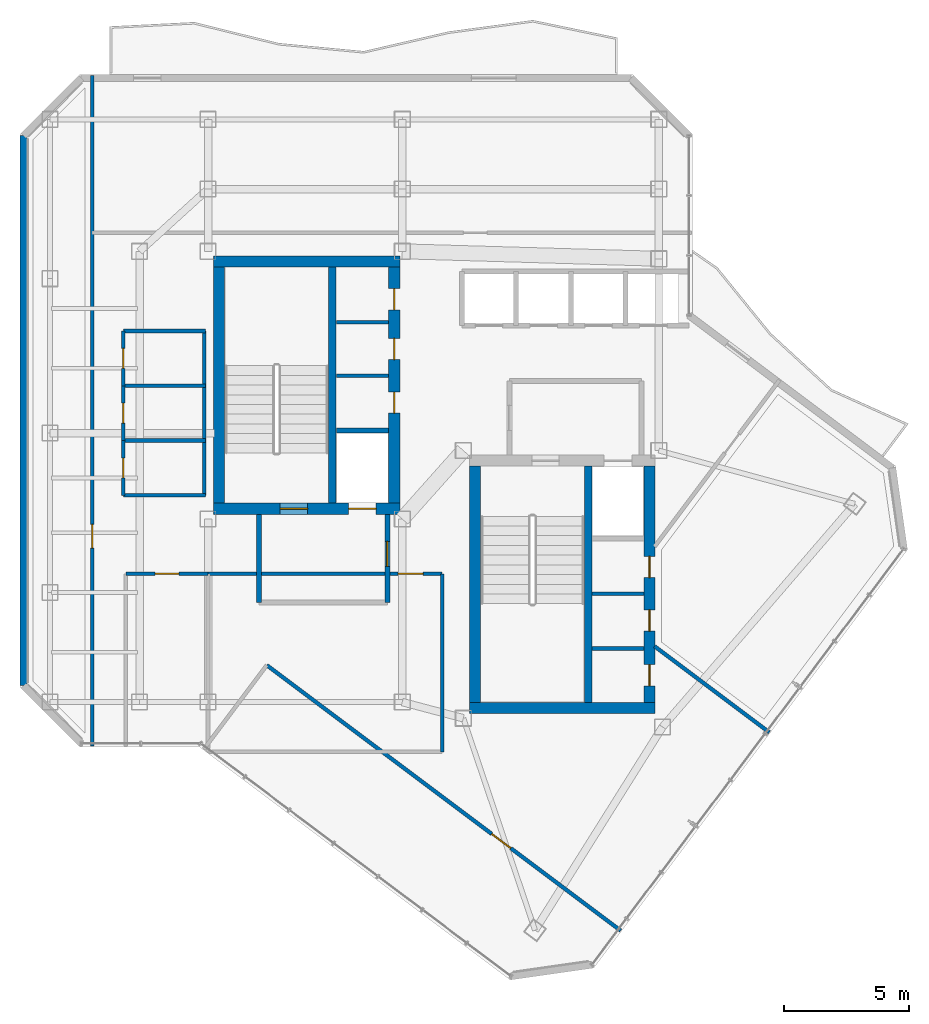
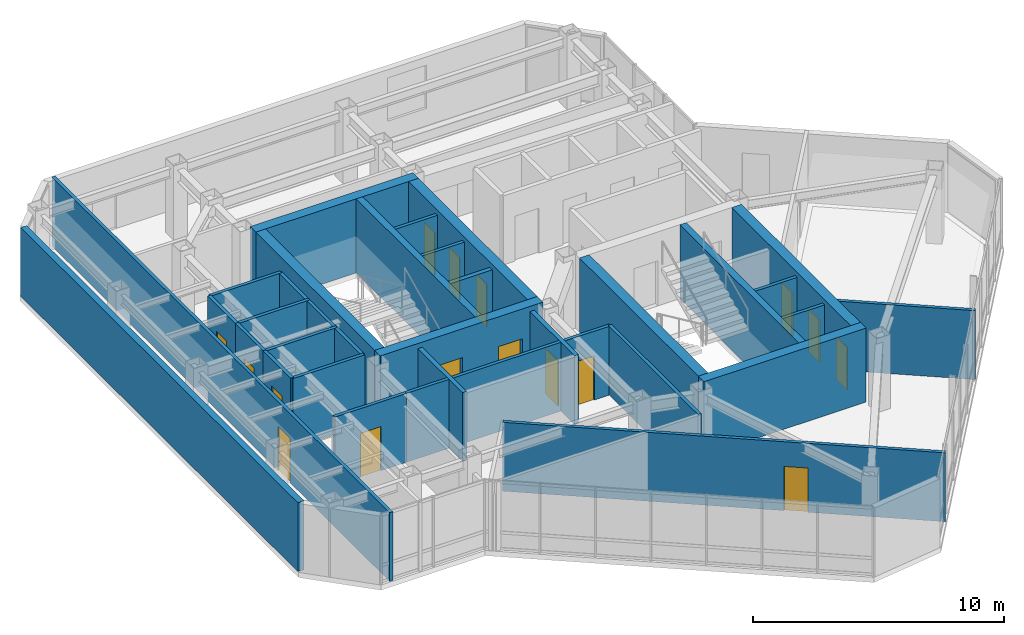
# One storey, part 14 of 18: 31 walls, 16 doors, 16 openings.
"""IFC4 building model written with IfcOpenShell, lengths in metres."""

from ifc_helpers import new_model, si_unit, direction, frame, frame_2d, origin, place, context, subcontext, project, spatial, rectangle, extrude, material, layer, layer_set, type_object, element, fill, save


model = new_model("IFC4")

# Units and contexts
model_context = context("Model", 3, precision=1e-05, world=origin(), true_north=direction((0.0, 1.0)))
body_context = subcontext(model_context, "Body", "Model", "MODEL_VIEW")
ifc_project = project(units=[si_unit("LENGTHUNIT", "METRE"), si_unit("AREAUNIT", "SQUARE_METRE"), si_unit("VOLUMEUNIT", "CUBIC_METRE"), si_unit("PLANEANGLEUNIT", "RADIAN"), si_unit("MASSUNIT", "GRAM", prefix="KILO")], contexts=[model_context])

# Site, building, storey
site_placement = place(None, origin())
site = spatial("IfcSite", under=ifc_project, at=site_placement, CompositionType="ELEMENT")
building_placement = place(site_placement, origin())
building = spatial("IfcBuilding", under=site, at=building_placement, Name="Hatsunagi Terrace Concourse", CompositionType="ELEMENT")
storey_placement = place(building_placement, frame((0.0, 0.0, 250.35009765625)))
storey = spatial("IfcBuildingStorey", under=building, at=storey_placement, Name="L66", CompositionType="ELEMENT", Elevation=250.35009765625)

# Wall, openings, doors
ifc_material_1 = material(Name="Concrete Fc42", Category="concrete")
ifc_layer_1 = layer(ifc_material_1, 0.449951171875)
ifc_layer_set_1 = layer_set([ifc_layer_1], Name="CoreShearWall_Fc42_450")
wall_type_1 = type_object("IfcWallType", Name="CoreShearWall_Fc42_450", PredefinedType="SHEAR", material=ifc_layer_set_1)
wall_1_placement = place(storey_placement, frame((25.77001953125, 32.965087890625, 0.0), z_axis=(0.0, 0.0, 1.0), x_axis=(1.0, 0.0, 0.0)))
wall_1 = element("IfcWall", 1, at=wall_1_placement, inside=storey, type_object=wall_type_1, Name="Core A Shear Wall S L66", PredefinedType="SHEAR", context=body_context, shape_type="SweptSolid", body=[
    extrude(rectangle(XDim=7.47998046875, YDim=0.449951171875, at=frame_2d((3.739990234375, 0.0))), origin(), (0.0, 0.0, 1.0), 3.599853515625),
])
opening_1_placement = place(wall_1_placement, frame((2.679931640625, 0.0, 0.0)))
opening_1 = element("IfcOpeningElement", 2, at=opening_1_placement, cuts=wall_1, Name="Opening DR-110S", PredefinedType="OPENING", context=body_context, shape_type="SweptSolid", body=[
    extrude(rectangle(XDim=1.10009765625, YDim=2.199951171875, at=frame_2d((0.550048828125, 1.10009765625))), frame((0.0, 0.23486328125, 0.0), z_axis=(0.0, -1.0, 0.0), x_axis=(1.0, 0.0, 0.0)), (0.0, 0.0, 1.0), 0.469970703125),
])
opening_2_placement = place(wall_1_placement, frame((5.429931640625, 0.0, 0.0)))
opening_2 = element("IfcOpeningElement", 3, at=opening_2_placement, cuts=wall_1, Name="Opening LD-01", PredefinedType="OPENING", context=body_context, shape_type="SweptSolid", body=[
    extrude(rectangle(XDim=1.10009765625, YDim=2.14990234375, at=frame_2d((0.550048828125, 1.074951171875))), frame((0.0, 0.23486328125, 0.0), z_axis=(0.0, -1.0, 0.0), x_axis=(1.0, 0.0, 0.0)), (0.0, 0.0, 1.0), 0.469970703125),
])
ifc_material_2 = material(Name="Stainless steel", Category="steel")
door_type_1 = type_object("IfcDoorType", Name="LiftLandingDoor_LD01", OperationType="SLIDING_TO_LEFT", PredefinedType="USERDEFINED", material=ifc_material_2)
door_1_placement = place(opening_2_placement, origin())
door_1 = element("IfcDoor", 4, at=door_1_placement, inside=storey, type_object=door_type_1, Name="Lift landing door FF-01 L66", ObjectType="SLIDING_LANDING_DOOR", OperationType="SLIDING_TO_LEFT", OverallHeight=2.14990234375, OverallWidth=1.10009765625, PredefinedType="USERDEFINED", context=body_context, shape_type="SweptSolid", body=[
    extrude(rectangle(XDim=1.10009765625, YDim=2.14990234375, at=frame_2d((0.550048828125, 1.074951171875))), frame((0.0, 0.02490234375, 0.0), z_axis=(0.0, -1.0, 0.0), x_axis=(1.0, 0.0, 0.0)), (0.0, 0.0, 1.0), 0.050048828125),
])
fill(opening_2, door_1)
ifc_material_3 = material(Name="Painted steel", Category="steel")
door_type_2 = type_object("IfcDoorType", Name="StairFireDoor_EI60_1100", OperationType="NOTDEFINED", PredefinedType="DOOR", material=ifc_material_3)
door_2_placement = place(opening_1_placement, origin())
door_2 = element("IfcDoor", 5, at=door_2_placement, inside=storey, type_object=door_type_2, Name="Stair ST-A Exit Door L66", OperationType="SINGLE_SWING_LEFT", OverallHeight=2.199951171875, OverallWidth=1.10009765625, PredefinedType="DOOR", context=body_context, shape_type="SweptSolid", body=[
    extrude(rectangle(XDim=1.10009765625, YDim=2.199951171875, at=frame_2d((0.550048828125, 1.10009765625))), frame((0.0, 0.02490234375, 0.0), z_axis=(0.0, -1.0, 0.0), x_axis=(1.0, 0.0, 0.0)), (0.0, 0.0, 1.0), 0.050048828125),
])
fill(opening_1, door_2)

# Walls
wall_2_placement = place(storey_placement, frame((25.77001953125, 42.89501953125, 0.0), z_axis=(0.0, 0.0, 1.0), x_axis=(1.0, 0.0, 0.0)))
element("IfcWall", 6, at=wall_2_placement, inside=storey, type_object=wall_type_1, Name="Core A Shear Wall N L66", PredefinedType="SHEAR", context=body_context, shape_type="SweptSolid", body=[
    extrude(rectangle(XDim=7.47998046875, YDim=0.449951171875, at=frame_2d((3.739990234375, 0.0))), origin(), (0.0, 0.0, 1.0), 3.599853515625),
])
wall_3_placement = place(storey_placement, frame((25.9951171875, 33.18994140625, 0.0), z_axis=(0.0, 0.0, 1.0), x_axis=(0.0, 1.0, 0.0)))
element("IfcWall", 7, at=wall_3_placement, inside=storey, type_object=wall_type_1, Name="Core A Shear Wall W L66", PredefinedType="SHEAR", context=body_context, shape_type="SweptSolid", body=[
    extrude(rectangle(XDim=9.47998046875, YDim=0.449951171875, at=frame_2d((4.739990234375, 0.0))), origin(), (0.0, 0.0, 1.0), 3.599853515625),
])

# Wall, openings, doors
wall_4_placement = place(storey_placement, frame((33.02490234375, 33.18994140625, 0.0), z_axis=(0.0, 0.0, 1.0), x_axis=(0.0, 1.0, 0.0)))
wall_4 = element("IfcWall", 8, at=wall_4_placement, inside=storey, type_object=wall_type_1, Name="Core A Shear Wall E L66", PredefinedType="SHEAR", context=body_context, shape_type="SweptSolid", body=[
    extrude(rectangle(XDim=9.47998046875, YDim=0.449951171875, at=frame_2d((4.739990234375, 0.0))), origin(), (0.0, 0.0, 1.0), 3.599853515625),
])
opening_3_placement = place(wall_4_placement, frame((3.610107421875, 0.0, 0.0)))
opening_3 = element("IfcOpeningElement", 9, at=opening_3_placement, cuts=wall_4, Name="Opening DR-085", PredefinedType="OPENING", context=body_context, shape_type="SweptSolid", body=[
    extrude(rectangle(XDim=0.85009765625, YDim=2.080078125, at=frame_2d((0.425048828125, 1.0400390625))), frame((0.0, 0.23486328125, 0.0), z_axis=(0.0, -1.0, 0.0), x_axis=(1.0, 0.0, 0.0)), (0.0, 0.0, 1.0), 0.469970703125),
])
opening_4_placement = place(wall_4_placement, frame((5.760009765625, 0.0, 0.0)))
opening_4 = element("IfcOpeningElement", 10, at=opening_4_placement, cuts=wall_4, Name="Opening DR-085", PredefinedType="OPENING", context=body_context, shape_type="SweptSolid", body=[
    extrude(rectangle(XDim=0.85009765625, YDim=2.080078125, at=frame_2d((0.425048828125, 1.0400390625))), frame((0.0, 0.23486328125, 0.0), z_axis=(0.0, -1.0, 0.0), x_axis=(1.0, 0.0, 0.0)), (0.0, 0.0, 1.0), 0.469970703125),
])
opening_5_placement = place(wall_4_placement, frame((7.760009765625, 0.0, 0.0)))
opening_5 = element("IfcOpeningElement", 11, at=opening_5_placement, cuts=wall_4, Name="Opening DR-085", PredefinedType="OPENING", context=body_context, shape_type="SweptSolid", body=[
    extrude(rectangle(XDim=0.85009765625, YDim=2.080078125, at=frame_2d((0.425048828125, 1.0400390625))), frame((0.0, 0.23486328125, 0.0), z_axis=(0.0, -1.0, 0.0), x_axis=(1.0, 0.0, 0.0)), (0.0, 0.0, 1.0), 0.469970703125),
])
ifc_material_4 = material(Name="Painted steel", Category="steel")
door_type_3 = type_object("IfcDoorType", Name="RiserAccessDoor_EI60_850", OperationType="NOTDEFINED", PredefinedType="DOOR", material=ifc_material_4)
door_3_placement = place(opening_3_placement, origin())
door_3 = element("IfcDoor", 12, at=door_3_placement, inside=storey, type_object=door_type_3, Name="Core A Riser Door L66-1", OperationType="SINGLE_SWING_LEFT", OverallHeight=2.080078125, OverallWidth=0.85009765625, PredefinedType="DOOR", context=body_context, shape_type="SweptSolid", body=[
    extrude(rectangle(XDim=0.85009765625, YDim=2.080078125, at=frame_2d((0.425048828125, 1.0400390625))), frame((0.0, 0.02490234375, 0.0), z_axis=(0.0, -1.0, 0.0), x_axis=(1.0, 0.0, 0.0)), (0.0, 0.0, 1.0), 0.050048828125),
])
fill(opening_3, door_3)
door_4_placement = place(opening_4_placement, origin())
door_4 = element("IfcDoor", 13, at=door_4_placement, inside=storey, type_object=door_type_3, Name="Core A Riser Door L66-2", OperationType="SINGLE_SWING_LEFT", OverallHeight=2.080078125, OverallWidth=0.85009765625, PredefinedType="DOOR", context=body_context, shape_type="SweptSolid", body=[
    extrude(rectangle(XDim=0.85009765625, YDim=2.080078125, at=frame_2d((0.425048828125, 1.0400390625))), frame((0.0, 0.02490234375, 0.0), z_axis=(0.0, -1.0, 0.0), x_axis=(1.0, 0.0, 0.0)), (0.0, 0.0, 1.0), 0.050048828125),
])
fill(opening_4, door_4)
door_5_placement = place(opening_5_placement, origin())
door_5 = element("IfcDoor", 14, at=door_5_placement, inside=storey, type_object=door_type_3, Name="Core A Riser Door L66-3", OperationType="SINGLE_SWING_LEFT", OverallHeight=2.080078125, OverallWidth=0.85009765625, PredefinedType="DOOR", context=body_context, shape_type="SweptSolid", body=[
    extrude(rectangle(XDim=0.85009765625, YDim=2.080078125, at=frame_2d((0.425048828125, 1.0400390625))), frame((0.0, 0.02490234375, 0.0), z_axis=(0.0, -1.0, 0.0), x_axis=(1.0, 0.0, 0.0)), (0.0, 0.0, 1.0), 0.050048828125),
])
fill(opening_5, door_5)

# Walls
wall_5_placement = place(storey_placement, frame((36.0400390625, 24.965087890625, 0.0), z_axis=(0.0, 0.0, 1.0), x_axis=(1.0, 0.0, 0.0)))
element("IfcWall", 15, at=wall_5_placement, inside=storey, type_object=wall_type_1, Name="Core B Shear Wall S L66", PredefinedType="SHEAR", context=body_context, shape_type="SweptSolid", body=[
    extrude(rectangle(XDim=7.4599609375, YDim=0.449951171875, at=frame_2d((3.72998046875, 0.0))), origin(), (0.0, 0.0, 1.0), 3.599853515625),
])
wall_6_placement = place(storey_placement, frame((36.264892578125, 25.18994140625, 0.0), z_axis=(0.0, 0.0, 1.0), x_axis=(0.0, 1.0, 0.0)))
element("IfcWall", 16, at=wall_6_placement, inside=storey, type_object=wall_type_1, Name="Core B Shear Wall W L66", PredefinedType="SHEAR", context=body_context, shape_type="SweptSolid", body=[
    extrude(rectangle(XDim=9.47998046875, YDim=0.449951171875, at=frame_2d((4.739990234375, 0.0))), origin(), (0.0, 0.0, 1.0), 3.599853515625),
])

# Wall, openings, doors
wall_7_placement = place(storey_placement, frame((43.27490234375, 25.18994140625, 0.0), z_axis=(0.0, 0.0, 1.0), x_axis=(0.0, 1.0, 0.0)))
wall_7 = element("IfcWall", 17, at=wall_7_placement, inside=storey, type_object=wall_type_1, Name="Core B Shear Wall E L66", PredefinedType="SHEAR", context=body_context, shape_type="SweptSolid", body=[
    extrude(rectangle(XDim=9.47998046875, YDim=0.449951171875, at=frame_2d((4.739990234375, 0.0))), origin(), (0.0, 0.0, 1.0), 3.599853515625),
])
opening_6_placement = place(wall_7_placement, frame((0.659912109375, 0.0, 0.0)))
opening_6 = element("IfcOpeningElement", 18, at=opening_6_placement, cuts=wall_7, Name="Opening DR-085", PredefinedType="OPENING", context=body_context, shape_type="SweptSolid", body=[
    extrude(rectangle(XDim=0.85009765625, YDim=2.080078125, at=frame_2d((0.425048828125, 1.0400390625))), frame((0.0, 0.23486328125, 0.0), z_axis=(0.0, -1.0, 0.0), x_axis=(1.0, 0.0, 0.0)), (0.0, 0.0, 1.0), 0.469970703125),
])
opening_7_placement = place(wall_7_placement, frame((2.860107421875, 0.0, 0.0)))
opening_7 = element("IfcOpeningElement", 19, at=opening_7_placement, cuts=wall_7, Name="Opening DR-085", PredefinedType="OPENING", context=body_context, shape_type="SweptSolid", body=[
    extrude(rectangle(XDim=0.85009765625, YDim=2.080078125, at=frame_2d((0.425048828125, 1.0400390625))), frame((0.0, 0.23486328125, 0.0), z_axis=(0.0, -1.0, 0.0), x_axis=(1.0, 0.0, 0.0)), (0.0, 0.0, 1.0), 0.469970703125),
])
opening_8_placement = place(wall_7_placement, frame((5.010009765625, 0.0, 0.0)))
opening_8 = element("IfcOpeningElement", 20, at=opening_8_placement, cuts=wall_7, Name="Opening DR-085", PredefinedType="OPENING", context=body_context, shape_type="SweptSolid", body=[
    extrude(rectangle(XDim=0.85009765625, YDim=2.080078125, at=frame_2d((0.425048828125, 1.0400390625))), frame((0.0, 0.23486328125, 0.0), z_axis=(0.0, -1.0, 0.0), x_axis=(1.0, 0.0, 0.0)), (0.0, 0.0, 1.0), 0.469970703125),
])
door_6_placement = place(opening_6_placement, origin())
door_6 = element("IfcDoor", 21, at=door_6_placement, inside=storey, type_object=door_type_3, Name="Core B Riser Door L66-1", OperationType="SINGLE_SWING_RIGHT", OverallHeight=2.080078125, OverallWidth=0.85009765625, PredefinedType="DOOR", context=body_context, shape_type="SweptSolid", body=[
    extrude(rectangle(XDim=0.85009765625, YDim=2.080078125, at=frame_2d((0.425048828125, 1.0400390625))), frame((0.0, 0.02490234375, 0.0), z_axis=(0.0, -1.0, 0.0), x_axis=(1.0, 0.0, 0.0)), (0.0, 0.0, 1.0), 0.050048828125),
])
fill(opening_6, door_6)
door_7_placement = place(opening_7_placement, origin())
door_7 = element("IfcDoor", 22, at=door_7_placement, inside=storey, type_object=door_type_3, Name="Core B Riser Door L66-2", OperationType="SINGLE_SWING_RIGHT", OverallHeight=2.080078125, OverallWidth=0.85009765625, PredefinedType="DOOR", context=body_context, shape_type="SweptSolid", body=[
    extrude(rectangle(XDim=0.85009765625, YDim=2.080078125, at=frame_2d((0.425048828125, 1.0400390625))), frame((0.0, 0.02490234375, 0.0), z_axis=(0.0, -1.0, 0.0), x_axis=(1.0, 0.0, 0.0)), (0.0, 0.0, 1.0), 0.050048828125),
])
fill(opening_7, door_7)
door_8_placement = place(opening_8_placement, origin())
door_8 = element("IfcDoor", 23, at=door_8_placement, inside=storey, type_object=door_type_3, Name="Core B Riser Door L66-3", OperationType="SINGLE_SWING_RIGHT", OverallHeight=2.080078125, OverallWidth=0.85009765625, PredefinedType="DOOR", context=body_context, shape_type="SweptSolid", body=[
    extrude(rectangle(XDim=0.85009765625, YDim=2.080078125, at=frame_2d((0.425048828125, 1.0400390625))), frame((0.0, 0.02490234375, 0.0), z_axis=(0.0, -1.0, 0.0), x_axis=(1.0, 0.0, 0.0)), (0.0, 0.0, 1.0), 0.050048828125),
])
fill(opening_8, door_8)

# Walls
ifc_material_5 = material(Name="Concrete Fc48", Category="concrete")
ifc_layer_2 = layer(ifc_material_5, 0.300048828125)
ifc_layer_set_2 = layer_set([ifc_layer_2], Name="CoreStairDivider_Fc48_300")
wall_type_2 = type_object("IfcWallType", Name="CoreStairDivider_Fc48_300", PredefinedType="SHEAR", material=ifc_layer_set_2)
for number, where, z_axis, x_axis, name in (
    (24, (30.5400390625, 33.18994140625, 0.0), (0.0, 0.0, 1.0), (0.0, 1.0, 0.0), "Core A Shear Wall D L66"),
    (25, (40.81005859375, 25.18994140625, 0.0), (0.0, 0.0, 1.0), (0.0, 1.0, 0.0), "Core B Shear Wall D L66"),
):
    element("IfcWall", number, at=place(storey_placement, frame(where, z_axis=z_axis, x_axis=x_axis)), inside=storey, type_object=wall_type_2, Name=name, PredefinedType="SHEAR", context=body_context, shape_type="SweptSolid", body=[
        extrude(rectangle(XDim=9.47998046875, YDim=0.300048828125, at=frame_2d((4.739990234375, 0.0))), origin(), (0.0, 0.0, 1.0), 3.599853515625),
    ])
ifc_material_6 = material(Name="Acoustic mineral board", Category="gypsum")
ifc_layer_3 = layer(ifc_material_6, 0.14990234375)
ifc_layer_set_3 = layer_set([ifc_layer_3], Name="PartitionWall_EI60_150")
wall_type_3 = type_object("IfcWallType", Name="PartitionWall_EI60_150", PredefinedType="PARTITIONING", material=ifc_layer_set_3)
for number, where, z_axis, x_axis, name in (
    (26, (30.699951171875, 38.300048828125, 0.0), (0.0, 0.0, 1.0), (1.0, 0.0, 0.0), "Interior Partition IW-L66-002"),
    (27, (30.699951171875, 40.449951171875, 0.0), (0.0, 0.0, 1.0), (1.0, 0.0, 0.0), "Interior Partition IW-L66-003"),
):
    element("IfcWall", number, at=place(storey_placement, frame(where, z_axis=z_axis, x_axis=x_axis)), inside=storey, type_object=wall_type_3, Name=name, PredefinedType="PARTITIONING", context=body_context, shape_type="SweptSolid", body=[
        extrude(rectangle(XDim=2.10009765625, YDim=0.14990234375, at=frame_2d((1.050048828125, 0.0))), origin(), (0.0, 0.0, 1.0), 3.349853515625),
    ])
for number, where, z_axis, x_axis, name in (
    (28, (40.969970703125, 27.35009765625, 0.0), (0.0, 0.0, 1.0), (1.0, 0.0, 0.0), "Interior Partition IW-L66-005"),
    (29, (40.969970703125, 29.550048828125, 0.0), (0.0, 0.0, 1.0), (1.0, 0.0, 0.0), "Interior Partition IW-L66-006"),
):
    element("IfcWall", number, at=place(storey_placement, frame(where, z_axis=z_axis, x_axis=x_axis)), inside=storey, type_object=wall_type_3, Name=name, PredefinedType="PARTITIONING", context=body_context, shape_type="SweptSolid", body=[
        extrude(rectangle(XDim=2.080078125, YDim=0.14990234375, at=frame_2d((1.0400390625, 0.0))), origin(), (0.0, 0.0, 1.0), 3.349853515625),
    ])
for number, where, z_axis, x_axis, name in (
    (30, (22.14990234375, 33.5, 0.0), (0.0, 0.0, 1.0), (1.0, 0.0, 0.0), "Interior Partition IW-L66-019"),
    (31, (22.14990234375, 40.10009765625, 0.0), (0.0, 0.0, 1.0), (1.0, 0.0, 0.0), "Interior Partition IW-L66-020"),
):
    element("IfcWall", number, at=place(storey_placement, frame(where, z_axis=z_axis, x_axis=x_axis)), inside=storey, type_object=wall_type_3, Name=name, PredefinedType="PARTITIONING", context=body_context, shape_type="SweptSolid", body=[
        extrude(rectangle(XDim=3.300048828125, YDim=0.14990234375, at=frame_2d((1.64990234375, 0.0))), origin(), (0.0, 0.0, 1.0), 3.349853515625),
    ])
wall_8_placement = place(storey_placement, frame((25.39990234375, 33.5, 0.0), z_axis=(0.0, 0.0, 1.0), x_axis=(0.0, 1.0, 0.0)))
element("IfcWall", 32, at=wall_8_placement, inside=storey, type_object=wall_type_3, Name="Interior Partition IW-L66-021", PredefinedType="PARTITIONING", context=body_context, shape_type="SweptSolid", body=[
    extrude(rectangle(XDim=6.60009765625, YDim=0.14990234375, at=frame_2d((3.300048828125, 0.0))), origin(), (0.0, 0.0, 1.0), 3.349853515625),
])
for number, where, z_axis, x_axis, name in (
    (33, (22.14990234375, 35.699951171875, 0.0), (0.0, 0.0, 1.0), (1.0, 0.0, 0.0), "Interior Partition IW-L66-022"),
    (34, (22.14990234375, 37.89990234375, 0.0), (0.0, 0.0, 1.0), (1.0, 0.0, 0.0), "Interior Partition IW-L66-023"),
):
    element("IfcWall", number, at=place(storey_placement, frame(where, z_axis=z_axis, x_axis=x_axis)), inside=storey, type_object=wall_type_3, Name=name, PredefinedType="PARTITIONING", context=body_context, shape_type="SweptSolid", body=[
        extrude(rectangle(XDim=3.300048828125, YDim=0.14990234375, at=frame_2d((1.64990234375, 0.0))), origin(), (0.0, 0.0, 1.0), 3.349853515625),
    ])

# Wall, opening, door
wall_9_placement = place(storey_placement, frame((22.14990234375, 33.5, 0.0), z_axis=(0.0, 0.0, 1.0), x_axis=(0.0, 1.0, 0.0)))
wall_9 = element("IfcWall", 35, at=wall_9_placement, inside=storey, type_object=wall_type_3, Name="Interior Partition IW-L66-024", PredefinedType="PARTITIONING", context=body_context, shape_type="SweptSolid", body=[
    extrude(rectangle(XDim=2.199951171875, YDim=0.14990234375, at=frame_2d((1.10009765625, 0.0))), origin(), (0.0, 0.0, 1.0), 3.349853515625),
])
opening_9_placement = place(wall_9_placement, frame((0.699951171875, 0.0, 0.0)))
opening_9 = element("IfcOpeningElement", 36, at=opening_9_placement, cuts=wall_9, Name="Opening DR-080", PredefinedType="OPENING", context=body_context, shape_type="SweptSolid", body=[
    extrude(rectangle(XDim=0.800048828125, YDim=2.06005859375, at=frame_2d((0.39990234375, 1.030029296875))), frame((0.0, 0.0849609375, 0.0), z_axis=(0.0, -1.0, 0.0), x_axis=(1.0, 0.0, 0.0)), (0.0, 0.0, 1.0), 0.169921875),
])
ifc_material_7 = material(Name="Hardwood timber", Category="wood")
door_type_4 = type_object("IfcDoorType", Name="BathroomDoor_800", OperationType="NOTDEFINED", PredefinedType="DOOR", material=ifc_material_7)
door_9_placement = place(opening_9_placement, origin())
door_9 = element("IfcDoor", 37, at=door_9_placement, inside=storey, type_object=door_type_4, Name="Accessible WC Door L66", OperationType="SINGLE_SWING_RIGHT", OverallHeight=2.06005859375, OverallWidth=0.800048828125, PredefinedType="DOOR", context=body_context, shape_type="SweptSolid", body=[
    extrude(rectangle(XDim=0.800048828125, YDim=2.06005859375, at=frame_2d((0.39990234375, 1.030029296875))), frame((0.0, 0.02490234375, 0.0), z_axis=(0.0, -1.0, 0.0), x_axis=(1.0, 0.0, 0.0)), (0.0, 0.0, 1.0), 0.050048828125),
])
fill(opening_9, door_9)

wall_10_placement = place(storey_placement, frame((22.14990234375, 35.699951171875, 0.0), z_axis=(0.0, 0.0, 1.0), x_axis=(0.0, 1.0, 0.0)))
wall_10 = element("IfcWall", 38, at=wall_10_placement, inside=storey, type_object=wall_type_3, Name="Interior Partition IW-L66-025", PredefinedType="PARTITIONING", context=body_context, shape_type="SweptSolid", body=[
    extrude(rectangle(XDim=2.199951171875, YDim=0.14990234375, at=frame_2d((1.10009765625, 0.0))), origin(), (0.0, 0.0, 1.0), 3.349853515625),
])
opening_10_placement = place(wall_10_placement, frame((0.699951171875, 0.0, 0.0)))
opening_10 = element("IfcOpeningElement", 39, at=opening_10_placement, cuts=wall_10, Name="Opening DR-080", PredefinedType="OPENING", context=body_context, shape_type="SweptSolid", body=[
    extrude(rectangle(XDim=0.800048828125, YDim=2.06005859375, at=frame_2d((0.39990234375, 1.030029296875))), frame((0.0, 0.0849609375, 0.0), z_axis=(0.0, -1.0, 0.0), x_axis=(1.0, 0.0, 0.0)), (0.0, 0.0, 1.0), 0.169921875),
])
door_10_placement = place(opening_10_placement, origin())
door_10 = element("IfcDoor", 40, at=door_10_placement, inside=storey, type_object=door_type_4, Name="Female Restroom Door L66", OperationType="SINGLE_SWING_RIGHT", OverallHeight=2.06005859375, OverallWidth=0.800048828125, PredefinedType="DOOR", context=body_context, shape_type="SweptSolid", body=[
    extrude(rectangle(XDim=0.800048828125, YDim=2.06005859375, at=frame_2d((0.39990234375, 1.030029296875))), frame((0.0, 0.02490234375, 0.0), z_axis=(0.0, -1.0, 0.0), x_axis=(1.0, 0.0, 0.0)), (0.0, 0.0, 1.0), 0.050048828125),
])
fill(opening_10, door_10)

wall_11_placement = place(storey_placement, frame((22.14990234375, 37.89990234375, 0.0), z_axis=(0.0, 0.0, 1.0), x_axis=(0.0, 1.0, 0.0)))
wall_11 = element("IfcWall", 41, at=wall_11_placement, inside=storey, type_object=wall_type_3, Name="Interior Partition IW-L66-026", PredefinedType="PARTITIONING", context=body_context, shape_type="SweptSolid", body=[
    extrude(rectangle(XDim=2.2001953125, YDim=0.14990234375, at=frame_2d((1.10009765625, 0.0))), origin(), (0.0, 0.0, 1.0), 3.349853515625),
])
opening_11_placement = place(wall_11_placement, frame((0.699951171875, 0.0, 0.0)))
opening_11 = element("IfcOpeningElement", 42, at=opening_11_placement, cuts=wall_11, Name="Opening DR-080", PredefinedType="OPENING", context=body_context, shape_type="SweptSolid", body=[
    extrude(rectangle(XDim=0.800048828125, YDim=2.06005859375, at=frame_2d((0.39990234375, 1.030029296875))), frame((0.0, 0.0849609375, 0.0), z_axis=(0.0, -1.0, 0.0), x_axis=(1.0, 0.0, 0.0)), (0.0, 0.0, 1.0), 0.169921875),
])
door_11_placement = place(opening_11_placement, origin())
door_11 = element("IfcDoor", 43, at=door_11_placement, inside=storey, type_object=door_type_4, Name="Male Restroom Door L66", OperationType="SINGLE_SWING_RIGHT", OverallHeight=2.06005859375, OverallWidth=0.800048828125, PredefinedType="DOOR", context=body_context, shape_type="SweptSolid", body=[
    extrude(rectangle(XDim=0.800048828125, YDim=2.06005859375, at=frame_2d((0.39990234375, 1.030029296875))), frame((0.0, 0.02490234375, 0.0), z_axis=(0.0, -1.0, 0.0), x_axis=(1.0, 0.0, 0.0)), (0.0, 0.0, 1.0), 0.050048828125),
])
fill(opening_11, door_11)

wall_12_placement = place(storey_placement, frame((25.550048828125, 30.35009765625, 0.0), z_axis=(0.0, 0.0, 1.0), x_axis=(1.0, 0.0, 0.0)))
wall_12 = element("IfcWall", 44, at=wall_12_placement, inside=storey, type_object=wall_type_3, Name="Interior Partition IW-L66-028", PredefinedType="PARTITIONING", context=body_context, shape_type="SweptSolid", body=[
    extrude(rectangle(XDim=9.39990234375, YDim=0.14990234375, at=frame_2d((4.699951171875, 0.0))), origin(), (0.0, 0.0, 1.0), 3.349853515625),
])
opening_12_placement = place(wall_12_placement, frame((7.637939453125, 0.0, 0.0)))
opening_12 = element("IfcOpeningElement", 45, at=opening_12_placement, cuts=wall_12, Name="Opening DR-100S", PredefinedType="OPENING", context=body_context, shape_type="SweptSolid", body=[
    extrude(rectangle(XDim=1.0, YDim=2.14990234375, at=frame_2d((0.5, 1.074951171875))), frame((0.0, 0.0849609375, 0.0), z_axis=(0.0, -1.0, 0.0), x_axis=(1.0, 0.0, 0.0)), (0.0, 0.0, 1.0), 0.169921875),
])
ifc_material_8 = material(Name="Hardwood timber", Category="wood")
door_type_5 = type_object("IfcDoorType", Name="SuiteDoor_EI30_1000", OperationType="NOTDEFINED", PredefinedType="DOOR", material=ifc_material_8)
door_12_placement = place(opening_12_placement, origin())
door_12 = element("IfcDoor", 46, at=door_12_placement, inside=storey, type_object=door_type_5, Name="Design Studio L66-RECL1 Door", OperationType="SINGLE_SWING_RIGHT", OverallHeight=2.14990234375, OverallWidth=1.0, PredefinedType="DOOR", context=body_context, shape_type="SweptSolid", body=[
    extrude(rectangle(XDim=1.0, YDim=2.14990234375, at=frame_2d((0.5, 1.074951171875))), frame((0.0, 0.02490234375, 0.0), z_axis=(0.0, -1.0, 0.0), x_axis=(1.0, 0.0, 0.0)), (0.0, 0.0, 1.0), 0.050048828125),
])
fill(opening_12, door_12)

# Wall
wall_13_placement = place(storey_placement, frame((34.949951171875, 23.199951171875, 0.0), z_axis=(0.0, 0.0, 1.0), x_axis=(0.0, 1.0, 0.0)))
element("IfcWall", 47, at=wall_13_placement, inside=storey, type_object=wall_type_3, Name="Interior Partition IW-L66-030", PredefinedType="PARTITIONING", context=body_context, shape_type="SweptSolid", body=[
    extrude(rectangle(XDim=7.150146484375, YDim=0.14990234375, at=frame_2d((3.5751953125, 0.0))), origin(), (0.0, 0.0, 1.0), 3.349853515625),
])

# Wall, opening, door
wall_14_placement = place(storey_placement, frame((20.89990234375, 23.43994140625, 0.0), z_axis=(0.0, 0.0, 1.0), x_axis=(0.0, 1.0, 0.0)))
wall_14 = element("IfcWall", 48, at=wall_14_placement, inside=storey, type_object=wall_type_3, Name="Interior Partition IW-L66-031", PredefinedType="PARTITIONING", context=body_context, shape_type="SweptSolid", body=[
    extrude(rectangle(XDim=26.920166015625, YDim=0.14990234375, at=frame_2d((13.4599609375, 0.0))), origin(), (0.0, 0.0, 1.0), 3.349853515625),
])
opening_13_placement = place(wall_14_placement, frame((7.943115234375, 0.0, 0.0)))
opening_13 = element("IfcOpeningElement", 49, at=opening_13_placement, cuts=wall_14, Name="Opening DR-095", PredefinedType="OPENING", context=body_context, shape_type="SweptSolid", body=[
    extrude(rectangle(XDim=0.949951171875, YDim=2.14990234375, at=frame_2d((0.47509765625, 1.074951171875))), frame((0.0, 0.0849609375, 0.0), z_axis=(0.0, -1.0, 0.0), x_axis=(1.0, 0.0, 0.0)), (0.0, 0.0, 1.0), 0.169921875),
])
ifc_material_9 = material(Name="Hardwood timber", Category="wood")
door_type_6 = type_object("IfcDoorType", Name="InteriorSuiteDoor_EI30_950", OperationType="NOTDEFINED", PredefinedType="DOOR", material=ifc_material_9)
door_13_placement = place(opening_13_placement, origin())
door_13 = element("IfcDoor", 50, at=door_13_placement, inside=storey, type_object=door_type_6, Name="Open Plan Office L66-OW1 Door", OperationType="SINGLE_SWING_RIGHT", OverallHeight=2.14990234375, OverallWidth=0.949951171875, PredefinedType="DOOR", context=body_context, shape_type="SweptSolid", body=[
    extrude(rectangle(XDim=0.949951171875, YDim=2.14990234375, at=frame_2d((0.47509765625, 1.074951171875))), frame((0.0, 0.02490234375, 0.0), z_axis=(0.0, -1.0, 0.0), x_axis=(1.0, 0.0, 0.0)), (0.0, 0.0, 1.0), 0.050048828125),
])
fill(opening_13, door_13)

# Wall
wall_15_placement = place(storey_placement, frame((43.47998046875, 27.43994140625, 0.0), z_axis=(0.0, 0.0, 1.0), x_axis=(0.79998982729, -0.600013563374, 0.0)))
element("IfcWall", 51, at=wall_15_placement, inside=storey, type_object=wall_type_3, Name="Interior Partition IW-L66-033", PredefinedType="PARTITIONING", context=body_context, shape_type="SweptSolid", body=[
    extrude(rectangle(XDim=5.760009765625, YDim=0.14990234375, at=frame_2d((2.8798828125, 0.0))), origin(), (0.0, 0.0, 1.0), 3.349853515625),
])

# Wall, opening, door
wall_16_placement = place(storey_placement, frame((22.25, 30.35009765625, 0.0), z_axis=(0.0, 0.0, 1.0), x_axis=(1.0, 0.0, 0.0)))
wall_16 = element("IfcWall", 52, at=wall_16_placement, inside=storey, type_object=wall_type_3, Name="Interior Partition IW-L66-035", PredefinedType="PARTITIONING", context=body_context, shape_type="SweptSolid", body=[
    extrude(rectangle(XDim=3.300048828125, YDim=0.14990234375, at=frame_2d((1.64990234375, 0.0))), origin(), (0.0, 0.0, 1.0), 3.349853515625),
])
opening_14_placement = place(wall_16_placement, frame((1.175048828125, 0.0, 0.0)))
opening_14 = element("IfcOpeningElement", 53, at=opening_14_placement, cuts=wall_16, Name="Opening DR-095", PredefinedType="OPENING", context=body_context, shape_type="SweptSolid", body=[
    extrude(rectangle(XDim=0.949951171875, YDim=2.14990234375, at=frame_2d((0.47509765625, 1.074951171875))), frame((0.0, 0.0849609375, 0.0), z_axis=(0.0, -1.0, 0.0), x_axis=(1.0, 0.0, 0.0)), (0.0, 0.0, 1.0), 0.169921875),
])
door_14_placement = place(opening_14_placement, origin())
door_14 = element("IfcDoor", 54, at=door_14_placement, inside=storey, type_object=door_type_6, Name="Private Salon L66-OCSW Door", OperationType="SINGLE_SWING_RIGHT", OverallHeight=2.14990234375, OverallWidth=0.949951171875, PredefinedType="DOOR", context=body_context, shape_type="SweptSolid", body=[
    extrude(rectangle(XDim=0.949951171875, YDim=2.14990234375, at=frame_2d((0.47509765625, 1.074951171875))), frame((0.0, 0.02490234375, 0.0), z_axis=(0.0, -1.0, 0.0), x_axis=(1.0, 0.0, 0.0)), (0.0, 0.0, 1.0), 0.050048828125),
])
fill(opening_14, door_14)

wall_17_placement = place(storey_placement, frame((27.909912109375, 26.679931640625, 0.0), z_axis=(0.0, 0.0, 1.0), x_axis=(0.8, -0.6, 0.0)))
wall_17 = element("IfcWall", 55, at=wall_17_placement, inside=storey, type_object=wall_type_3, Name="Interior Partition IW-L66-037", PredefinedType="PARTITIONING", context=body_context, shape_type="SweptSolid", body=[
    extrude(rectangle(XDim=17.760009765625, YDim=0.14990234375, at=frame_2d((8.8798828125, 0.0))), origin(), (0.0, 0.0, 1.0), 3.349853515625),
])
opening_15_placement = place(wall_17_placement, frame((11.2939453125, 0.0, 0.0)))
opening_15 = element("IfcOpeningElement", 56, at=opening_15_placement, cuts=wall_17, Name="Opening DR-095", PredefinedType="OPENING", context=body_context, shape_type="SweptSolid", body=[
    extrude(rectangle(XDim=0.949951171875, YDim=2.14990234375, at=frame_2d((0.47509765625, 1.074951171875))), frame((0.0, 0.0849609375, 0.0), z_axis=(0.0, -1.0, 0.0), x_axis=(1.0, 0.0, 0.0)), (0.0, 0.0, 1.0), 0.169921875),
])
door_15_placement = place(opening_15_placement, origin())
door_15 = element("IfcDoor", 57, at=door_15_placement, inside=storey, type_object=door_type_6, Name="Research Focus Suite L66-OSWS Door", OperationType="SINGLE_SWING_LEFT", OverallHeight=2.14990234375, OverallWidth=0.949951171875, PredefinedType="DOOR", context=body_context, shape_type="SweptSolid", body=[
    extrude(rectangle(XDim=0.949951171875, YDim=2.14990234375, at=frame_2d((0.47509765625, 1.074951171875))), frame((0.0, 0.02490234375, 0.0), z_axis=(0.0, -1.0, 0.0), x_axis=(1.0, 0.0, 0.0)), (0.0, 0.0, 1.0), 0.050048828125),
])
fill(opening_15, door_15)

# Walls
ifc_material_10 = material(Name="Acoustic mineral board", Category="gypsum")
ifc_layer_4 = layer(ifc_material_10, 0.199951171875)
ifc_layer_set_4 = layer_set([ifc_layer_4], Name="ShaftWall_EI120_200")
wall_type_4 = type_object("IfcWallType", Name="ShaftWall_EI120_200", PredefinedType="STANDARD", material=ifc_layer_set_4)
wall_18_placement = place(storey_placement, frame((30.699951171875, 36.10009765625, 0.0), z_axis=(0.0, 0.0, 1.0), x_axis=(1.0, 0.0, 0.0)))
element("IfcWall", 58, at=wall_18_placement, inside=storey, type_object=wall_type_4, Name="Interior Partition IW-L66-001", PredefinedType="STANDARD", context=body_context, shape_type="SweptSolid", body=[
    extrude(rectangle(XDim=2.10009765625, YDim=0.199951171875, at=frame_2d((1.050048828125, 0.0))), origin(), (0.0, 0.0, 1.0), 3.349853515625),
])
wall_19_placement = place(storey_placement, frame((27.60009765625, 29.199951171875, 0.0), z_axis=(0.0, 0.0, 1.0), x_axis=(0.0, 1.0, 0.0)))
element("IfcWall", 59, at=wall_19_placement, inside=storey, type_object=wall_type_4, Name="Interior Partition IW-L66-008", PredefinedType="STANDARD", context=body_context, shape_type="SweptSolid", body=[
    extrude(rectangle(XDim=3.5400390625, YDim=0.199951171875, at=frame_2d((1.77001953125, 0.0))), origin(), (0.0, 0.0, 1.0), 3.349853515625),
])

# Wall, opening, door
wall_20_placement = place(storey_placement, frame((32.75, 29.199951171875, 0.0), z_axis=(0.0, 0.0, 1.0), x_axis=(0.0, 1.0, 0.0)))
wall_20 = element("IfcWall", 60, at=wall_20_placement, inside=storey, type_object=wall_type_4, Name="Interior Partition IW-L66-009", PredefinedType="STANDARD", context=body_context, shape_type="SweptSolid", body=[
    extrude(rectangle(XDim=3.5400390625, YDim=0.199951171875, at=frame_2d((1.77001953125, 0.0))), origin(), (0.0, 0.0, 1.0), 3.349853515625),
])
opening_16_placement = place(wall_20_placement, frame((1.449951171875, 0.0, 0.0)))
opening_16 = element("IfcOpeningElement", 61, at=opening_16_placement, cuts=wall_20, Name="Opening DR-100F", PredefinedType="OPENING", context=body_context, shape_type="SweptSolid", body=[
    extrude(rectangle(XDim=1.0, YDim=2.199951171875, at=frame_2d((0.5, 1.10009765625))), frame((0.0, 0.10986328125, 0.0), z_axis=(0.0, -1.0, 0.0), x_axis=(1.0, 0.0, 0.0)), (0.0, 0.0, 1.0), 0.219970703125),
])
ifc_material_11 = material(Name="Painted steel", Category="steel")
door_type_7 = type_object("IfcDoorType", Name="FireDoor_EI60_1000", OperationType="NOTDEFINED", PredefinedType="DOOR", material=ifc_material_11)
door_16_placement = place(opening_16_placement, origin())
door_16 = element("IfcDoor", 62, at=door_16_placement, inside=storey, type_object=door_type_7, Name="Firefighting Lobby A Door L66", OperationType="SINGLE_SWING_RIGHT", OverallHeight=2.199951171875, OverallWidth=1.0, PredefinedType="DOOR", context=body_context, shape_type="SweptSolid", body=[
    extrude(rectangle(XDim=1.0, YDim=2.199951171875, at=frame_2d((0.5, 1.10009765625))), frame((0.0, 0.02490234375, 0.0), z_axis=(0.0, -1.0, 0.0), x_axis=(1.0, 0.0, 0.0)), (0.0, 0.0, 1.0), 0.050048828125),
])
fill(opening_16, door_16)

# Wall
ifc_material_12 = material(Name="Autoclaved Lightweight Concrete and Terracotta Cladding", Category="masonry")
ifc_layer_5 = layer(ifc_material_12, 0.280029296875)
ifc_layer_set_5 = layer_set([ifc_layer_5], Name="TerracottaSpandrelWall_280")
wall_type_5 = type_object("IfcWallType", Name="TerracottaSpandrelWall_280", PredefinedType="STANDARD", material=ifc_layer_set_5)
wall_21_placement = place(storey_placement, frame((18.139892578125, 25.85791015625, 0.0), z_axis=(0.0, 0.0, 1.0), x_axis=(0.0, 1.0, 0.0)))
element("IfcWall", 63, at=wall_21_placement, inside=storey, type_object=wall_type_5, Name="Exterior Spandrel Wall EW-L66-08", PredefinedType="STANDARD", context=body_context, shape_type="SweptSolid", body=[
    extrude(rectangle(XDim=22.083984375, YDim=0.280029296875, at=frame_2d((11.0419921875, 0.0))), origin(), (0.0, 0.0, 1.0), 3.349853515625),
])

save(model, "model.ifc")
